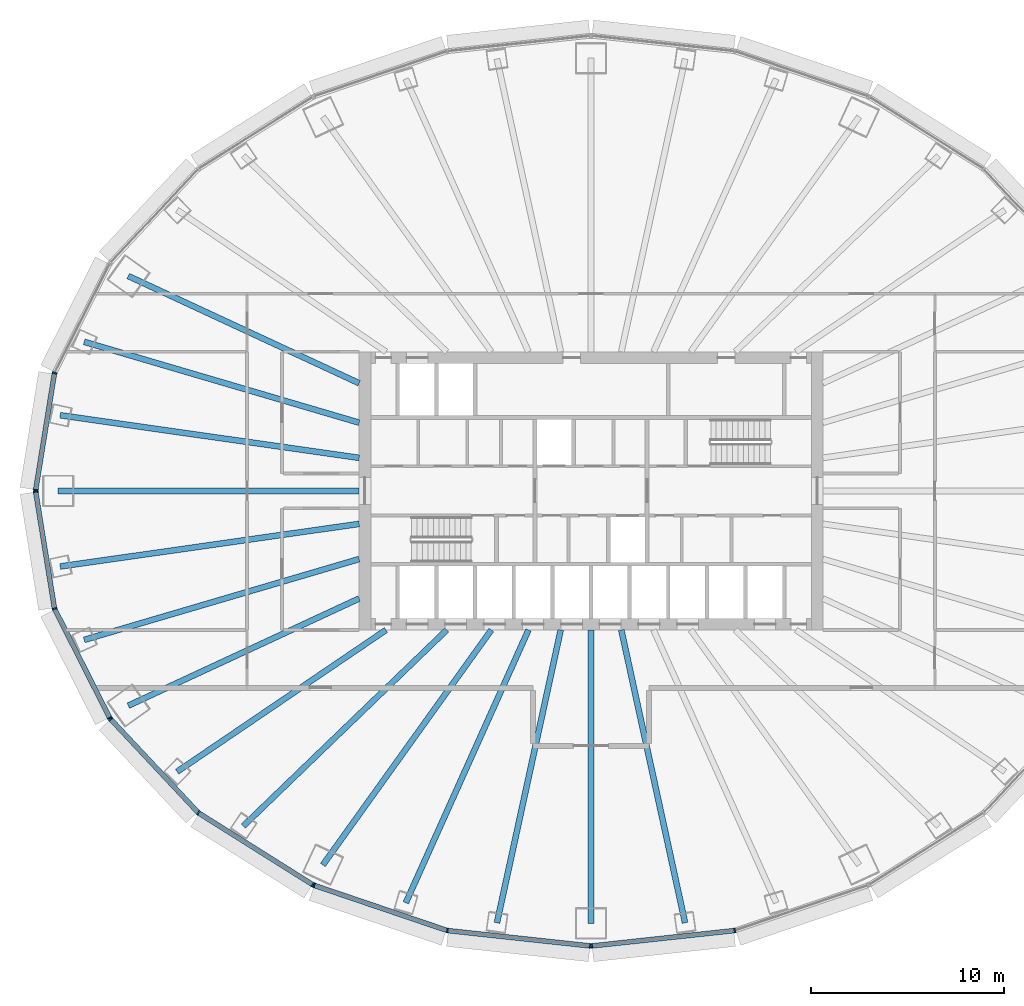
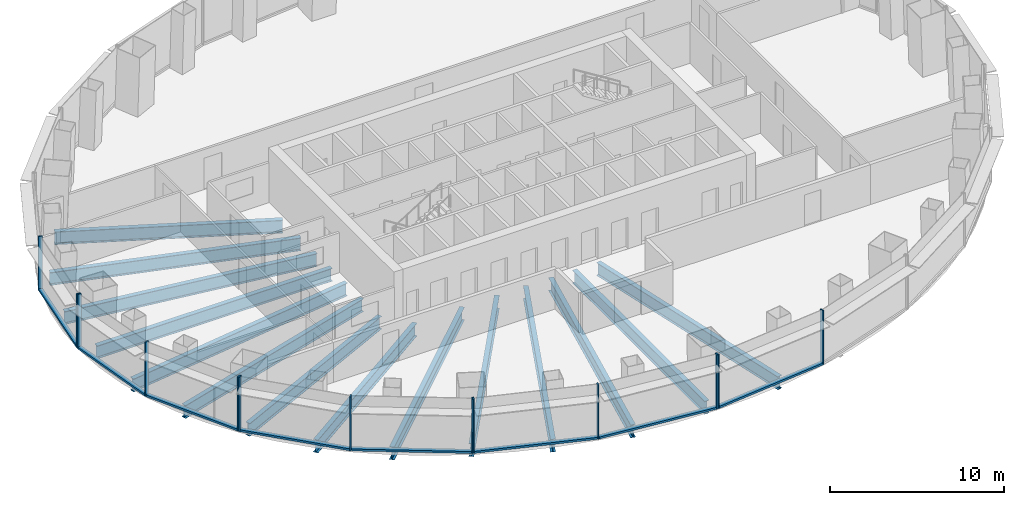
# One storey, part 2 of 13: 21 members, 14 beams, 5 elements without a shape of their own.
"""IFC4 building model written with IfcOpenShell, lengths in metres."""

import ifcopenshell
import ifcopenshell.guid

model = None  # the IFC model being written
_history = None  # IfcOwnerHistory: only IFC2X3 demands one
_inside = {}  # id of a spatial element -> (the spatial element, [elements in it])
_under = {}  # id of a project, library or spatial element -> (it, [spatial elements below it])
_declared = {}  # id of a project -> (the project, [libraries it declares])
_typed = {}  # id of a type object -> (the type object, [elements of that type])
_made_of = {}  # id of a material, layer set ... -> (it, [elements and type objects made of it])


def new_model(schema):
    """Start an empty IFC model of exactly this schema.

    Asked for "IFC4X3", IfcOpenShell would pick the latest addendum, in which some entities
    have other attributes; the version numbers below select the first issue.
    IFC2X3 requires an IfcOwnerHistory on every rooted entity: one is made here for all.
    """
    global model, _history
    if schema == "IFC4X3":
        model = ifcopenshell.file(schema_version=(4, 3, 0, 0))
    else:
        model = ifcopenshell.file(schema=schema)
    _inside.clear()
    _under.clear()
    _declared.clear()
    _typed.clear()
    _made_of.clear()
    _history = None
    if model.schema == "IFC2X3":
        org = make("IfcOrganization", Name="unknown")
        user = make(
            "IfcPersonAndOrganization",
            ThePerson=make("IfcPerson", FamilyName="unknown"),
            TheOrganization=org,
        )
        app = make(
            "IfcApplication",
            ApplicationDeveloper=org,
            Version="unknown",
            ApplicationFullName="unknown",
            ApplicationIdentifier="unknown",
        )
        _history = make(
            "IfcOwnerHistory",
            OwningUser=user,
            OwningApplication=app,
            ChangeAction="ADDED",
            CreationDate=0,
        )
    return model


def make(cls, **values):
    """One entity of the class cls with the attributes given. An attribute that is None is left unset."""
    return model.create_entity(
        cls, **{name: value for name, value in values.items() if value is not None}
    )


def rooted(cls, **values):
    """An entity with a GlobalId (a new one), such as an element, a storey or a relation."""
    return make(cls, GlobalId=ifcopenshell.guid.new(), OwnerHistory=_history, **values)


def si_unit(unit_type, name, prefix=None):
    """IfcSIUnit, for example si_unit("LENGTHUNIT", "METRE", prefix="MILLI")."""
    return make("IfcSIUnit", UnitType=unit_type, Prefix=prefix, Name=name)


def assignment(units):
    """IfcUnitAssignment: the units of a project."""
    return None if units is None else make("IfcUnitAssignment", Units=units)


def point(xyz):
    """IfcCartesianPoint."""
    return None if xyz is None else make("IfcCartesianPoint", Coordinates=xyz)


def direction(xyz):
    """IfcDirection."""
    return None if xyz is None else make("IfcDirection", DirectionRatios=xyz)


def frame(location, z_axis=None, x_axis=None):
    """IfcAxis2Placement3D, a coordinate frame: its origin and axes. An axis left out is left unset."""
    return make(
        "IfcAxis2Placement3D",
        Location=point(location),
        Axis=direction(z_axis),
        RefDirection=direction(x_axis),
    )


def frame_2d(location, x_axis=None):
    """IfcAxis2Placement2D, a coordinate frame in the plane: its origin and x axis."""
    return make(
        "IfcAxis2Placement2D", Location=point(location), RefDirection=direction(x_axis)
    )


def origin():
    """The frame at (0, 0, 0) with its axes left unset."""
    return frame((0.0, 0.0, 0.0))


def origin_2d():
    """The frame at (0, 0) in the plane with its x axis left unset."""
    return frame_2d((0.0, 0.0))


def place(relative_to, where):
    """IfcLocalPlacement: puts the frame where relative to a parent placement (None: the world)."""
    return make(
        "IfcLocalPlacement", PlacementRelTo=relative_to, RelativePlacement=where
    )


def context(
    kind, dimensions, precision=None, world=None, true_north=None, identifier=None
):
    """IfcGeometricRepresentationContext, for example the 3D "Model" context."""
    return make(
        "IfcGeometricRepresentationContext",
        ContextIdentifier=identifier,
        ContextType=kind,
        CoordinateSpaceDimension=dimensions,
        Precision=precision,
        WorldCoordinateSystem=world,
        TrueNorth=true_north,
    )


def subcontext(parent, identifier, kind, view, scale=None):
    """IfcGeometricRepresentationSubContext, for example "Body" below "Model"."""
    return make(
        "IfcGeometricRepresentationSubContext",
        ContextIdentifier=identifier,
        ContextType=kind,
        ParentContext=parent,
        TargetScale=scale,
        TargetView=view,
    )


def project(units=None, contexts=None):
    """IfcProject with its units and contexts."""
    return rooted(
        "IfcProject",
        Name="project",
        RepresentationContexts=contexts,
        UnitsInContext=assignment(units),
    )


def spatial(cls, under=None, at=None, **own):
    """A site, building, storey or space (cls), placed at a placement, below another one or the project."""
    s = rooted(cls, ObjectPlacement=at, **own)
    if under is not None:
        _under.setdefault(under.id(), (under, []))[1].append(s)
    return s


def profile(cls, at=None, kind="AREA", **sizes):
    """A parametric profile (cls). Its sizes go by their IFC names, for example OverallWidth=200.0."""
    return make(cls, ProfileType=kind, Position=at, **sizes)


def rectangle(**sizes):
    """IfcRectangleProfileDef."""
    return profile("IfcRectangleProfileDef", **sizes)


def i_section(**sizes):
    """IfcIShapeProfileDef."""
    return profile("IfcIShapeProfileDef", **sizes)


def extrude(swept, where, along, depth):
    """IfcExtrudedAreaSolid: the profile swept, set in the frame where, extruded along a direction by depth."""
    return make(
        "IfcExtrudedAreaSolid",
        SweptArea=swept,
        Position=where,
        ExtrudedDirection=direction(along),
        Depth=depth,
    )


def shape(context_of_items, identifier, shape_type, items):
    """IfcShapeRepresentation: the items that make up one representation, for example the "Body"."""
    return make(
        "IfcShapeRepresentation",
        ContextOfItems=context_of_items,
        RepresentationIdentifier=identifier,
        RepresentationType=shape_type,
        Items=items,
    )


def material(Name=None, Category=None):
    """IfcMaterial."""
    return make("IfcMaterial", Name=Name, Category=Category)


def layer(
    of_material, thickness, ventilated=None, Name=None, Category=None, Priority=None
):
    """IfcMaterialLayer: one layer of a wall or slab, of a material (None: an air gap)."""
    return make(
        "IfcMaterialLayer",
        Material=of_material,
        LayerThickness=thickness,
        IsVentilated=ventilated,
        Name=Name,
        Category=Category,
        Priority=Priority,
    )


def layer_set(layers, Name=None):
    """IfcMaterialLayerSet."""
    return make("IfcMaterialLayerSet", MaterialLayers=layers, LayerSetName=Name)


def material_profile(
    of_material, cross_section, Name=None, Category=None, Priority=None
):
    """IfcMaterialProfile: a cross section and its material."""
    return make(
        "IfcMaterialProfile",
        Name=Name,
        Material=of_material,
        Profile=cross_section,
        Priority=Priority,
        Category=Category,
    )


def profile_set(profiles, Name=None, composite=None):
    """IfcMaterialProfileSet."""
    return make(
        "IfcMaterialProfileSet",
        Name=Name,
        MaterialProfiles=profiles,
        CompositeProfile=composite,
    )


def made_of(thing, what):
    """Note that an element or type object is made of a material, layer set ...; save() writes the relation."""
    if what is not None:
        _made_of.setdefault(what.id(), (what, []))[1].append(thing)
    return thing


def type_object(cls, material=None, **own):
    """A type object (cls), such as IfcWallType, which elements share."""
    return made_of(rooted(cls, **own), material)


def element(
    cls,
    number,
    at=None,
    inside=None,
    cuts=None,
    type_object=None,
    material=None,
    context=None,
    identifier="Body",
    shape_type=None,
    held_by="IfcProductDefinitionShape",
    body=None,
    shapes=None,
    **own,
):
    """One element of the class cls, such as IfcWall. Its Tag is "e" and its number.

    at: its placement. inside: the storey or other place that contains it. cuts: it is an
    opening in that element (IfcRelVoidsElement). A single representation is given by context,
    identifier, shape_type and body (its items); several are given by shapes. held_by: the class
    of the entity that holds the representations. save() writes the other relations.
    """
    e = rooted(cls, Tag="e%d" % number, ObjectPlacement=at, **own)
    if body is not None:
        shapes = [shape(context, identifier, shape_type, body)]
    if shapes is not None:
        e.Representation = make(held_by, Representations=shapes)
    if inside is not None:
        _inside.setdefault(inside.id(), (inside, []))[1].append(e)
    if cuts is not None:
        rooted(
            "IfcRelVoidsElement", RelatingBuildingElement=cuts, RelatedOpeningElement=e
        )
    if type_object is not None:
        _typed.setdefault(type_object.id(), (type_object, []))[1].append(e)
    return made_of(e, material)


def aggregate(whole, parts):
    """IfcRelAggregates: a whole, such as a stair, and the parts it consists of."""
    return rooted("IfcRelAggregates", RelatingObject=whole, RelatedObjects=parts)


def save(model, path):
    """Write the relations noted so far, then the file.

    IfcRelAggregates (storeys below a building ...), IfcRelContainedInSpatialStructure (elements
    in a storey), IfcRelDefinesByType, IfcRelAssociatesMaterial and IfcRelDeclares: one each for
    every whole, place, type object, material and project.
    """
    for whole, parts in _under.values():
        aggregate(whole, parts)
    for where, things in _inside.values():
        rooted(
            "IfcRelContainedInSpatialStructure",
            RelatedElements=things,
            RelatingStructure=where,
        )
    for kind, things in _typed.values():
        rooted("IfcRelDefinesByType", RelatedObjects=things, RelatingType=kind)
    for what, things in _made_of.values():
        rooted("IfcRelAssociatesMaterial", RelatedObjects=things, RelatingMaterial=what)
    for by, libraries in _declared.values():
        rooted("IfcRelDeclares", RelatingContext=by, RelatedDefinitions=libraries)
    model.write(path)


model = new_model("IFC4")

# Units and contexts
model_context = context("Model", 3, precision=1e-05, world=origin(), true_north=direction((0.0, 1.0)))
body_context = subcontext(model_context, "Body", "Model", "MODEL_VIEW")
ifc_project = project(units=[si_unit("LENGTHUNIT", "METRE"), si_unit("AREAUNIT", "SQUARE_METRE"), si_unit("VOLUMEUNIT", "CUBIC_METRE"), si_unit("PLANEANGLEUNIT", "RADIAN"), si_unit("MASSUNIT", "GRAM", prefix="KILO")], contexts=[model_context])

# Site, building, storey
site_placement = place(None, origin())
site = spatial("IfcSite", under=ifc_project, at=site_placement, CompositionType="ELEMENT")
building_placement = place(site_placement, origin())
building = spatial("IfcBuilding", under=site, at=building_placement, Name="Siaravel Broadcast Tower", CompositionType="ELEMENT")
storey_placement = place(building_placement, frame((0.0, 0.0, 24.5)))
storey = spatial("IfcBuildingStorey", under=building, at=storey_placement, Name="L04", CompositionType="ELEMENT", Elevation=24.5)

# Beams
ifc_material_1 = material(Name="Steel S355", Category="steel")
ifc_material_profile_1 = material_profile(ifc_material_1, i_section(OverallWidth=0.30322265625, OverallDepth=0.903076171875, WebThickness=0.01513671875, FlangeThickness=0.020263671875, FilletRadius=0.01904296875, at=origin_2d()))
ifc_profile_set_1 = profile_set([ifc_material_profile_1], Name="Steel S355")
beam_type = type_object("IfcBeamType", Name="BM-UB 914x305x201", PredefinedType="BEAM", material=ifc_profile_set_1)
beam_1_placement = place(storey_placement, frame((-23.950927734375, 11.1181640625, -0.651611328125), z_axis=(0.907039044, -0.42104652, 0.0), x_axis=(0.42104652, 0.907039044, 0.0)))
element("IfcBeam", 1, at=beam_1_placement, inside=storey, type_object=beam_type, Name="Radial beam RB16", PredefinedType="BEAM", context=body_context, shape_type="SweptSolid", body=[
    extrude(i_section(OverallWidth=0.30322265625, OverallDepth=0.903076171875, WebThickness=0.01513671875, FlangeThickness=0.020263671875, FilletRadius=0.01904296875, at=origin_2d()), origin(), (0.0, 0.0, 1.0), 13.17578125),
])
beam_2_placement = place(storey_placement, frame((-26.23291015625, 7.7138671875, -0.651611328125), z_axis=(0.959385415, -0.28209861, 0.0), x_axis=(0.28209861, 0.959385415, 0.0)))
element("IfcBeam", 2, at=beam_2_placement, inside=storey, type_object=beam_type, Name="Radial beam RB17", PredefinedType="BEAM", context=body_context, shape_type="SweptSolid", body=[
    extrude(i_section(OverallWidth=0.30322265625, OverallDepth=0.903076171875, WebThickness=0.01513671875, FlangeThickness=0.020263671875, FilletRadius=0.01904296875, at=origin_2d()), origin(), (0.0, 0.0, 1.0), 14.83544921875),
])
beam_3_placement = place(storey_placement, frame((-27.476318359375, 3.9130859375, -0.651611328125), z_axis=(0.99001031, -0.140994985, 0.0), x_axis=(0.140994985, 0.99001031, 0.0)))
element("IfcBeam", 3, at=beam_3_placement, inside=storey, type_object=beam_type, Name="Radial beam RB18", PredefinedType="BEAM", context=body_context, shape_type="SweptSolid", body=[
    extrude(i_section(OverallWidth=0.30322265625, OverallDepth=0.903076171875, WebThickness=0.01513671875, FlangeThickness=0.020263671875, FilletRadius=0.01904296875, at=origin_2d()), origin(), (0.0, 0.0, 1.0), 15.632568359375),
])
beam_4_placement = place(storey_placement, frame((-27.59423828125, 0.0, -0.651611328125), z_axis=(1.0, 0.0, 0.0), x_axis=(0.0, 1.0, 0.0)))
element("IfcBeam", 4, at=beam_4_placement, inside=storey, type_object=beam_type, Name="Radial beam RB19", PredefinedType="BEAM", context=body_context, shape_type="SweptSolid", body=[
    extrude(i_section(OverallWidth=0.30322265625, OverallDepth=0.903076171875, WebThickness=0.01513671875, FlangeThickness=0.020263671875, FilletRadius=0.01904296875, at=origin_2d()), origin(), (0.0, 0.0, 1.0), 15.59423828125),
])
beam_5_placement = place(storey_placement, frame((-27.476318359375, -3.9130859375, -0.651611328125), z_axis=(0.99001031, 0.140994985, 0.0), x_axis=(-0.140994985, 0.99001031, 0.0)))
element("IfcBeam", 5, at=beam_5_placement, inside=storey, type_object=beam_type, Name="Radial beam RB20", PredefinedType="BEAM", context=body_context, shape_type="SweptSolid", body=[
    extrude(i_section(OverallWidth=0.30322265625, OverallDepth=0.903076171875, WebThickness=0.01513671875, FlangeThickness=0.020263671875, FilletRadius=0.01904296875, at=origin_2d()), origin(), (0.0, 0.0, 1.0), 15.632568359375),
])
beam_6_placement = place(storey_placement, frame((-26.23291015625, -7.7138671875, -0.651611328125), z_axis=(0.959385415, 0.28209861, 0.0), x_axis=(-0.28209861, 0.959385415, 0.0)))
element("IfcBeam", 6, at=beam_6_placement, inside=storey, type_object=beam_type, Name="Radial beam RB21", PredefinedType="BEAM", context=body_context, shape_type="SweptSolid", body=[
    extrude(i_section(OverallWidth=0.30322265625, OverallDepth=0.903076171875, WebThickness=0.01513671875, FlangeThickness=0.020263671875, FilletRadius=0.01904296875, at=origin_2d()), origin(), (0.0, 0.0, 1.0), 14.83544921875),
])
beam_7_placement = place(storey_placement, frame((-23.950927734375, -11.1181640625, -0.651611328125), z_axis=(0.907039044, 0.42104652, 0.0), x_axis=(-0.42104652, 0.907039044, 0.0)))
element("IfcBeam", 7, at=beam_7_placement, inside=storey, type_object=beam_type, Name="Radial beam RB22", PredefinedType="BEAM", context=body_context, shape_type="SweptSolid", body=[
    extrude(i_section(OverallWidth=0.30322265625, OverallDepth=0.903076171875, WebThickness=0.01513671875, FlangeThickness=0.020263671875, FilletRadius=0.01904296875, at=origin_2d()), origin(), (0.0, 0.0, 1.0), 13.17578125),
])
beam_8_placement = place(storey_placement, frame((-21.42236328125, -14.535400390625, -0.651611328125), z_axis=(0.82749748, 0.56146943, 0.0), x_axis=(-0.56146943, 0.82749748, 0.0)))
element("IfcBeam", 8, at=beam_8_placement, inside=storey, type_object=beam_type, Name="Radial beam RB23", PredefinedType="BEAM", context=body_context, shape_type="SweptSolid", body=[
    extrude(i_section(OverallWidth=0.30322265625, OverallDepth=0.903076171875, WebThickness=0.01513671875, FlangeThickness=0.020263671875, FilletRadius=0.01904296875, at=origin_2d()), origin(), (0.0, 0.0, 1.0), 13.064697265625),
])
beam_9_placement = place(storey_placement, frame((-17.9912109375, -17.345703125, -0.651611328125), z_axis=(0.719899432, 0.694078387, 0.0), x_axis=(-0.694078387, 0.719899432, 0.0)))
element("IfcBeam", 9, at=beam_9_placement, inside=storey, type_object=beam_type, Name="Radial beam RB24", PredefinedType="BEAM", context=body_context, shape_type="SweptSolid", body=[
    extrude(i_section(OverallWidth=0.30322265625, OverallDepth=0.903076171875, WebThickness=0.01513671875, FlangeThickness=0.020263671875, FilletRadius=0.01904296875, at=origin_2d()), origin(), (0.0, 0.0, 1.0), 14.61767578125),
])
beam_10_placement = place(storey_placement, frame((-13.876953125, -19.360595703125, -0.651611328125), z_axis=(0.582571046, 0.812779783, 0.0), x_axis=(-0.812779783, 0.582571046, 0.0)))
element("IfcBeam", 10, at=beam_10_placement, inside=storey, type_object=beam_type, Name="Radial beam RB25", PredefinedType="BEAM", context=body_context, shape_type="SweptSolid", body=[
    extrude(i_section(OverallWidth=0.30322265625, OverallDepth=0.903076171875, WebThickness=0.01513671875, FlangeThickness=0.020263671875, FilletRadius=0.01904296875, at=origin_2d()), origin(), (0.0, 0.0, 1.0), 14.9619140625),
])
beam_11_placement = place(storey_placement, frame((-9.58544921875, -21.31982421875, -0.651611328125), z_axis=(0.410053186, 0.912061612, 0.0), x_axis=(-0.912061612, 0.410053186, 0.0)))
element("IfcBeam", 11, at=beam_11_placement, inside=storey, type_object=beam_type, Name="Radial beam RB26", PredefinedType="BEAM", context=body_context, shape_type="SweptSolid", body=[
    extrude(i_section(OverallWidth=0.30322265625, OverallDepth=0.903076171875, WebThickness=0.01513671875, FlangeThickness=0.020263671875, FilletRadius=0.01904296875, at=origin_2d()), origin(), (0.0, 0.0, 1.0), 15.481201171875),
])
beam_12_placement = place(storey_placement, frame((-4.868408203125, -22.35498046875, -0.651611328125), z_axis=(0.212781863, 0.977099728, 0.0), x_axis=(-0.977099728, 0.212781863, 0.0)))
element("IfcBeam", 12, at=beam_12_placement, inside=storey, type_object=beam_type, Name="Radial beam RB27", PredefinedType="BEAM", context=body_context, shape_type="SweptSolid", body=[
    extrude(i_section(OverallWidth=0.30322265625, OverallDepth=0.903076171875, WebThickness=0.01513671875, FlangeThickness=0.020263671875, FilletRadius=0.01904296875, at=origin_2d()), origin(), (0.0, 0.0, 1.0), 15.51025390625),
])
beam_13_placement = place(storey_placement, frame((0.0, -22.40380859375, -0.651611328125), z_axis=(0.0, 1.0, 0.0), x_axis=(-1.0, 0.0, 0.0)))
element("IfcBeam", 13, at=beam_13_placement, inside=storey, type_object=beam_type, Name="Radial beam RB28", PredefinedType="BEAM", context=body_context, shape_type="SweptSolid", body=[
    extrude(i_section(OverallWidth=0.30322265625, OverallDepth=0.903076171875, WebThickness=0.01513671875, FlangeThickness=0.020263671875, FilletRadius=0.01904296875, at=origin_2d()), origin(), (0.0, 0.0, 1.0), 15.203857421875),
])
beam_14_placement = place(storey_placement, frame((4.868408203125, -22.35498046875, -0.651611328125), z_axis=(-0.212781863, 0.977099728, 0.0), x_axis=(-0.977099728, -0.212781863, 0.0)))
element("IfcBeam", 14, at=beam_14_placement, inside=storey, type_object=beam_type, Name="Radial beam RB29", PredefinedType="BEAM", context=body_context, shape_type="SweptSolid", body=[
    extrude(i_section(OverallWidth=0.30322265625, OverallDepth=0.903076171875, WebThickness=0.01513671875, FlangeThickness=0.020263671875, FilletRadius=0.01904296875, at=origin_2d()), origin(), (0.0, 0.0, 1.0), 15.51025390625),
])

# Curtain wall, members
ifc_material_2 = material(Name="Aluminium 6063-T6", Category="aluminium")
ifc_layer = layer(ifc_material_2, 0.25)
ifc_layer_set = layer_set([ifc_layer], Name="Aluminium 6063-T6")
curtain_wall_type = type_object("IfcCurtainWallType", Name="Podium newsroom glazing", PredefinedType="NOTDEFINED", material=ifc_layer_set)
curtain_wall_1_placement = place(storey_placement, origin())
curtain_wall_1 = element("IfcCurtainWall", 15, at=curtain_wall_1_placement, inside=storey, type_object=curtain_wall_type, Name="L04 Podium newsroom glazing 06", PredefinedType="NOTDEFINED")
ifc_material_profile_2 = material_profile(ifc_material_2, rectangle(XDim=0.25, YDim=0.080078125, at=origin_2d()))
ifc_profile_set_2 = profile_set([ifc_material_profile_2], Name="Aluminium 6063-T6")
member_type_1 = type_object("IfcMemberType", Name="CW-PD mullion", PredefinedType="MULLION", material=ifc_profile_set_2)
member_1_placement = place(storey_placement, frame((-27.76904296875, 6.099853515625, 0.0), z_axis=(0.0, 0.0, 1.0), x_axis=(0.951176944, -0.308646111, 0.0)))
member_1 = element("IfcMember", 16, at=member_1_placement, type_object=member_type_1, Name="CW-PD mullion 2", PredefinedType="MULLION", context=body_context, shape_type="SweptSolid", body=[
    extrude(rectangle(XDim=0.25, YDim=0.080078125, at=origin_2d()), origin(), (0.0, 0.0, 1.0), 3.800048828125),
])
member_2_placement = place(storey_placement, frame((-28.7431640625, 0.03955078125, 0.0), z_axis=(0.0, 0.0, 1.0), x_axis=(0.987329093, -0.158686046, 0.0)))
member_2 = element("IfcMember", 17, at=member_2_placement, type_object=member_type_1, Name="CW-PD mullion 3", PredefinedType="MULLION", context=body_context, shape_type="SweptSolid", body=[
    extrude(rectangle(XDim=0.25, YDim=0.080078125, at=origin_2d()), origin(), (0.0, 0.0, 1.0), 3.800048828125),
])

curtain_wall_2_placement = place(storey_placement, origin())
curtain_wall_2 = element("IfcCurtainWall", 18, at=curtain_wall_2_placement, inside=storey, type_object=curtain_wall_type, Name="L04 Podium newsroom glazing 07", PredefinedType="NOTDEFINED")
member_3_placement = place(storey_placement, frame((-28.7431640625, -0.03955078125, 0.0), z_axis=(0.0, 0.0, 1.0), x_axis=(0.987329093, 0.158686046, 0.0)))
member_3 = element("IfcMember", 19, at=member_3_placement, type_object=member_type_1, Name="CW-PD mullion 1", PredefinedType="MULLION", context=body_context, shape_type="SweptSolid", body=[
    extrude(rectangle(XDim=0.25, YDim=0.080078125, at=origin_2d()), origin(), (0.0, 0.0, 1.0), 3.800048828125),
])
member_4_placement = place(storey_placement, frame((-27.76904296875, -6.099853515625, 0.0), z_axis=(0.0, 0.0, 1.0), x_axis=(0.951176944, 0.308646111, 0.0)))
member_4 = element("IfcMember", 20, at=member_4_placement, type_object=member_type_1, Name="CW-PD mullion 2", PredefinedType="MULLION", context=body_context, shape_type="SweptSolid", body=[
    extrude(rectangle(XDim=0.25, YDim=0.080078125, at=origin_2d()), origin(), (0.0, 0.0, 1.0), 3.800048828125),
])
member_5_placement = place(storey_placement, frame((-24.913330078125, -11.747314453125, 0.0), z_axis=(0.0, 0.0, 1.0), x_axis=(0.892391539, 0.451261943, 0.0)))
member_5 = element("IfcMember", 21, at=member_5_placement, type_object=member_type_1, Name="CW-PD mullion 3", PredefinedType="MULLION", context=body_context, shape_type="SweptSolid", body=[
    extrude(rectangle(XDim=0.25, YDim=0.080078125, at=origin_2d()), origin(), (0.0, 0.0, 1.0), 3.800048828125),
])

curtain_wall_3_placement = place(storey_placement, origin())
curtain_wall_3 = element("IfcCurtainWall", 22, at=curtain_wall_3_placement, inside=storey, type_object=curtain_wall_type, Name="L04 Podium newsroom glazing 08", PredefinedType="NOTDEFINED")
member_6_placement = place(storey_placement, frame((-24.867919921875, -11.81201171875, 0.0), z_axis=(0.0, 0.0, 1.0), x_axis=(0.729804459, 0.683655945, 0.0)))
member_6 = element("IfcMember", 23, at=member_6_placement, type_object=member_type_1, Name="CW-PD mullion 1", PredefinedType="MULLION", context=body_context, shape_type="SweptSolid", body=[
    extrude(rectangle(XDim=0.25, YDim=0.080078125, at=origin_2d()), origin(), (0.0, 0.0, 1.0), 3.800048828125),
])
member_7_placement = place(storey_placement, frame((-20.3251953125, -16.661376953125, 0.0), z_axis=(0.0, 0.0, 1.0), x_axis=(0.6362179, 0.771509419, 0.0)))
member_7 = element("IfcMember", 24, at=member_7_placement, type_object=member_type_1, Name="CW-PD mullion 2", PredefinedType="MULLION", context=body_context, shape_type="SweptSolid", body=[
    extrude(rectangle(XDim=0.25, YDim=0.080078125, at=origin_2d()), origin(), (0.0, 0.0, 1.0), 3.800048828125),
])
member_8_placement = place(storey_placement, frame((-14.405029296875, -20.382568359375, 0.0), z_axis=(0.0, 0.0, 1.0), x_axis=(0.532148584, 0.846650982, 0.0)))
member_8 = element("IfcMember", 25, at=member_8_placement, type_object=member_type_1, Name="CW-PD mullion 3", PredefinedType="MULLION", context=body_context, shape_type="SweptSolid", body=[
    extrude(rectangle(XDim=0.25, YDim=0.080078125, at=origin_2d()), origin(), (0.0, 0.0, 1.0), 3.800048828125),
])

curtain_wall_4_placement = place(storey_placement, origin())
curtain_wall_4 = element("IfcCurtainWall", 26, at=curtain_wall_4_placement, inside=storey, type_object=curtain_wall_type, Name="L04 Podium newsroom glazing 09", PredefinedType="NOTDEFINED")
member_9_placement = place(storey_placement, frame((-14.333251953125, -20.416748046875, 0.0), z_axis=(0.0, 0.0, 1.0), x_axis=(0.321300254, 0.946977374, 0.0)))
member_9 = element("IfcMember", 27, at=member_9_placement, type_object=member_type_1, Name="CW-PD mullion 1", PredefinedType="MULLION", context=body_context, shape_type="SweptSolid", body=[
    extrude(rectangle(XDim=0.25, YDim=0.080078125, at=origin_2d()), origin(), (0.0, 0.0, 1.0), 3.800048828125),
])
member_10_placement = place(storey_placement, frame((-7.438720703125, -22.755859375, 0.0), z_axis=(0.0, 0.0, 1.0), x_axis=(0.215557821, 0.976491078, 0.0)))
member_10 = element("IfcMember", 28, at=member_10_placement, type_object=member_type_1, Name="CW-PD mullion 2", PredefinedType="MULLION", context=body_context, shape_type="SweptSolid", body=[
    extrude(rectangle(XDim=0.25, YDim=0.080078125, at=origin_2d()), origin(), (0.0, 0.0, 1.0), 3.800048828125),
])
member_11_placement = place(storey_placement, frame((-0.039794921875, -23.5537109375, 0.0), z_axis=(0.0, 0.0, 1.0), x_axis=(0.107217373, 0.994235603, 0.0)))
member_11 = element("IfcMember", 29, at=member_11_placement, type_object=member_type_1, Name="CW-PD mullion 3", PredefinedType="MULLION", context=body_context, shape_type="SweptSolid", body=[
    extrude(rectangle(XDim=0.25, YDim=0.080078125, at=origin_2d()), origin(), (0.0, 0.0, 1.0), 3.800048828125),
])

curtain_wall_5_placement = place(storey_placement, origin())
curtain_wall_5 = element("IfcCurtainWall", 30, at=curtain_wall_5_placement, inside=storey, type_object=curtain_wall_type, Name="L04 Podium newsroom glazing 10", PredefinedType="NOTDEFINED")
member_12_placement = place(storey_placement, frame((0.039794921875, -23.5537109375, 0.0), z_axis=(0.0, 0.0, 1.0), x_axis=(-0.107217373, 0.994235603, 0.0)))
member_12 = element("IfcMember", 31, at=member_12_placement, type_object=member_type_1, Name="CW-PD mullion 1", PredefinedType="MULLION", context=body_context, shape_type="SweptSolid", body=[
    extrude(rectangle(XDim=0.25, YDim=0.080078125, at=origin_2d()), origin(), (0.0, 0.0, 1.0), 3.800048828125),
])
member_13_placement = place(storey_placement, frame((7.438720703125, -22.755859375, 0.0), z_axis=(0.0, 0.0, 1.0), x_axis=(-0.215557821, 0.976491078, 0.0)))
member_13 = element("IfcMember", 32, at=member_13_placement, type_object=member_type_1, Name="CW-PD mullion 2", PredefinedType="MULLION", context=body_context, shape_type="SweptSolid", body=[
    extrude(rectangle(XDim=0.25, YDim=0.080078125, at=origin_2d()), origin(), (0.0, 0.0, 1.0), 3.800048828125),
])

# Member
ifc_material_profile_3 = material_profile(ifc_material_2, rectangle(XDim=0.25, YDim=0.139892578125, at=origin_2d()))
ifc_profile_set_3 = profile_set([ifc_material_profile_3], Name="Aluminium 6063-T6")
member_type_2 = type_object("IfcMemberType", Name="CW-PD transom", PredefinedType="USERDEFINED", material=ifc_profile_set_3)
member_14_placement = place(storey_placement, frame((-27.775390625, 6.060302734375, 0.070068359375), z_axis=(-0.158704052, -0.987326199, 0.0), x_axis=(0.987326199, -0.158704052, 0.0)))
member_14 = element("IfcMember", 33, at=member_14_placement, type_object=member_type_2, Name="CW-PD transom 2", ObjectType="TRANSOM", PredefinedType="USERDEFINED", context=body_context, shape_type="SweptSolid", body=[
    extrude(rectangle(XDim=0.25, YDim=0.139892578125, at=origin_2d()), origin(), (0.0, 0.0, 1.0), 6.057861328125),
])

aggregate(curtain_wall_1, [member_1, member_2, member_14])

member_15_placement = place(storey_placement, frame((-28.73681640625, -0.0791015625, 0.070068359375), z_axis=(0.158704052, -0.987326199, 0.0), x_axis=(0.987326199, 0.158704052, 0.0)))
member_15 = element("IfcMember", 34, at=member_15_placement, type_object=member_type_2, Name="CW-PD transom 1", ObjectType="TRANSOM", PredefinedType="USERDEFINED", context=body_context, shape_type="SweptSolid", body=[
    extrude(rectangle(XDim=0.25, YDim=0.139892578125, at=origin_2d()), origin(), (0.0, 0.0, 1.0), 6.057861328125),
])

member_16_placement = place(storey_placement, frame((-27.751220703125, -6.135498046875, 0.070068359375), z_axis=(0.45128812, -0.892378301, 0.0), x_axis=(0.892378301, 0.45128812, 0.0)))
member_16 = element("IfcMember", 35, at=member_16_placement, type_object=member_type_2, Name="CW-PD transom 2", ObjectType="TRANSOM", PredefinedType="USERDEFINED", context=body_context, shape_type="SweptSolid", body=[
    extrude(rectangle(XDim=0.25, YDim=0.139892578125, at=origin_2d()), origin(), (0.0, 0.0, 1.0), 6.248291015625),
])

aggregate(curtain_wall_2, [member_3, member_4, member_5, member_15, member_16])

member_17_placement = place(storey_placement, frame((-24.8408203125, -11.84130859375, 0.070068359375), z_axis=(0.683692437, -0.729770273, 0.0), x_axis=(0.729770273, 0.683692437, 0.0)))
member_17 = element("IfcMember", 36, at=member_17_placement, type_object=member_type_2, Name="CW-PD transom 1", ObjectType="TRANSOM", PredefinedType="USERDEFINED", context=body_context, shape_type="SweptSolid", body=[
    extrude(rectangle(XDim=0.25, YDim=0.139892578125, at=origin_2d()), origin(), (0.0, 0.0, 1.0), 6.564697265625),
])

member_18_placement = place(storey_placement, frame((-20.29150390625, -16.6826171875, 0.070068359375), z_axis=(0.84665428, -0.532143336, 0.0), x_axis=(0.532143336, 0.84665428, 0.0)))
member_18 = element("IfcMember", 37, at=member_18_placement, type_object=member_type_2, Name="CW-PD transom 2", ObjectType="TRANSOM", PredefinedType="USERDEFINED", context=body_context, shape_type="SweptSolid", body=[
    extrude(rectangle(XDim=0.25, YDim=0.139892578125, at=origin_2d()), origin(), (0.0, 0.0, 1.0), 6.91259765625),
])

aggregate(curtain_wall_3, [member_6, member_7, member_8, member_17, member_18])

member_19_placement = place(storey_placement, frame((-14.29541015625, -20.429443359375, 0.070068359375), z_axis=(0.946970963, -0.321319148, 0.0), x_axis=(0.321319148, 0.946970963, 0.0)))
member_19 = element("IfcMember", 38, at=member_19_placement, type_object=member_type_2, Name="CW-PD transom 1", ObjectType="TRANSOM", PredefinedType="USERDEFINED", context=body_context, shape_type="SweptSolid", body=[
    extrude(rectangle(XDim=0.25, YDim=0.139892578125, at=origin_2d()), origin(), (0.0, 0.0, 1.0), 7.20068359375),
])

member_20_placement = place(storey_placement, frame((-7.39892578125, -22.76025390625, 0.070068359375), z_axis=(0.99423565, -0.10721694, 0.0), x_axis=(0.10721694, 0.99423565, 0.0)))
member_20 = element("IfcMember", 39, at=member_20_placement, type_object=member_type_2, Name="CW-PD transom 2", ObjectType="TRANSOM", PredefinedType="USERDEFINED", context=body_context, shape_type="SweptSolid", body=[
    extrude(rectangle(XDim=0.25, YDim=0.139892578125, at=origin_2d()), origin(), (0.0, 0.0, 1.0), 7.36181640625),
])

aggregate(curtain_wall_4, [member_9, member_10, member_11, member_19, member_20])

member_21_placement = place(storey_placement, frame((0.07958984375, -23.549560546875, 0.070068359375), z_axis=(0.99423565, 0.10721694, 0.0), x_axis=(-0.10721694, 0.99423565, 0.0)))
member_21 = element("IfcMember", 40, at=member_21_placement, type_object=member_type_2, Name="CW-PD transom 1", ObjectType="TRANSOM", PredefinedType="USERDEFINED", context=body_context, shape_type="SweptSolid", body=[
    extrude(rectangle(XDim=0.25, YDim=0.139892578125, at=origin_2d()), origin(), (0.0, 0.0, 1.0), 7.36181640625),
])

aggregate(curtain_wall_5, [member_12, member_13, member_21])

save(model, "model.ifc")
